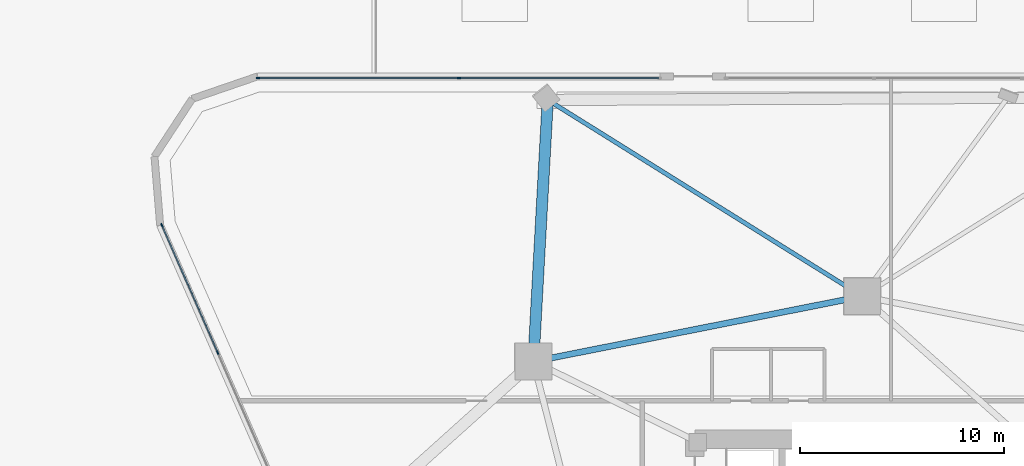
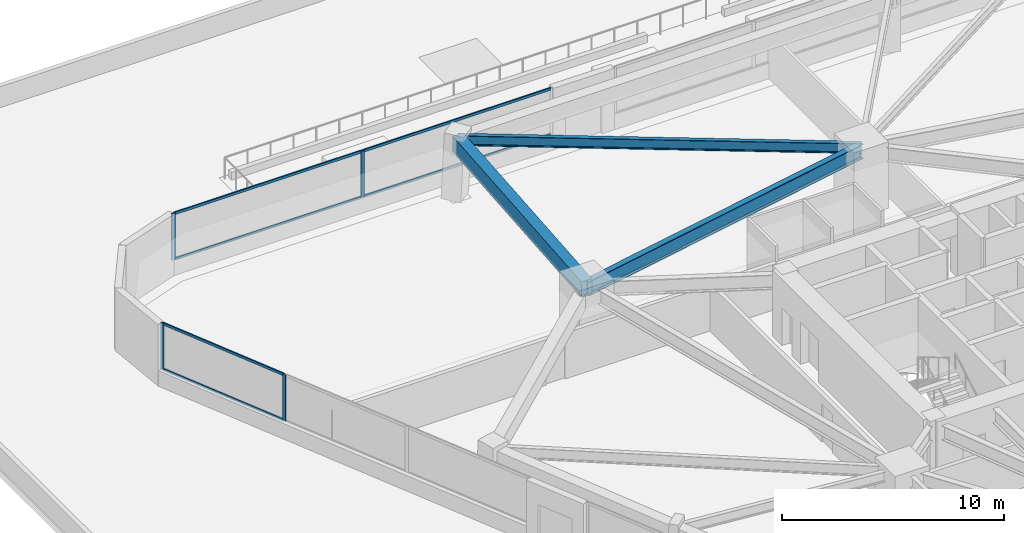
# One storey, part 9 of 21: 10 members, 3 beams, 2 elements without a shape of their own.
"""IFC4 building model written with IfcOpenShell, lengths in metres."""

from ifc_helpers import new_model, si_unit, direction, frame, origin, origin_2d, place, context, subcontext, project, spatial, rectangle, i_section, extrude, material, layer, layer_set, material_profile, profile_set, type_object, element, aggregate, save


model = new_model("IFC4")

# Units and contexts
model_context = context("Model", 3, precision=1e-05, world=origin(), true_north=direction((0.0, 1.0)))
body_context = subcontext(model_context, "Body", "Model", "MODEL_VIEW")
ifc_project = project(units=[si_unit("LENGTHUNIT", "METRE"), si_unit("AREAUNIT", "SQUARE_METRE"), si_unit("VOLUMEUNIT", "CUBIC_METRE"), si_unit("PLANEANGLEUNIT", "RADIAN"), si_unit("MASSUNIT", "GRAM", prefix="KILO")], contexts=[model_context])

# Site, building, storey
site_placement = place(None, origin())
site = spatial("IfcSite", under=ifc_project, at=site_placement, CompositionType="ELEMENT")
building_placement = place(site_placement, origin())
building = spatial("IfcBuilding", under=site, at=building_placement, Name="Talyreon Biosciences Tower", CompositionType="ELEMENT")
storey_placement = place(building_placement, frame((0.0, 0.0, 22.800048828125)))
storey = spatial("IfcBuildingStorey", under=building, at=storey_placement, Name="L05", CompositionType="ELEMENT", Elevation=22.800048828125)

# Curtain wall, members
ifc_material_1 = material(Name="Thermally broken aluminium and low-E glazing", Category="aluminium")
ifc_layer = layer(ifc_material_1, 0.195068359375)
ifc_layer_set = layer_set([ifc_layer], Name="Thermally broken aluminium and low-E glazing")
curtain_wall_type = type_object("IfcCurtainWallType", Name="CurtainWall_Zone1WetLab", PredefinedType="NOTDEFINED", material=ifc_layer_set)
curtain_wall_1_placement = place(storey_placement, origin())
curtain_wall_1 = element("IfcCurtainWall", 1, at=curtain_wall_1_placement, inside=storey, type_object=curtain_wall_type, Name="L05 Unitised Curtain Wall FCW-L05-00B", PredefinedType="NOTDEFINED")
ifc_material_2 = material(Name="Anodised thermally broken aluminium", Category="aluminium")
ifc_material_profile_1 = material_profile(ifc_material_2, rectangle(XDim=0.06494140625, YDim=0.179931640625, at=origin_2d()), Name="ALUM MULLION 65x180")
ifc_profile_set_1 = profile_set([ifc_material_profile_1], Name="Anodised thermally broken aluminium")
member_type_1 = type_object("IfcMemberType", Name="CWMullion_65x180", PredefinedType="MULLION", material=ifc_profile_set_1)
member_1_placement = place(storey_placement, frame((34.446044921875, 79.0302734375, 0.81005859375), z_axis=(0.0, 0.0, 1.0), x_axis=(-0.915926152878, -0.401346835636, 0.0)))
member_1 = element("IfcMember", 2, at=member_1_placement, type_object=member_type_1, Name="CW2 mullion 3", PredefinedType="MULLION", context=body_context, shape_type="SweptSolid", body=[
    extrude(rectangle(XDim=0.06494140625, YDim=0.179931640625, at=origin_2d()), origin(), (0.0, 0.0, 1.0), 2.56494140625),
])
member_2_placement = place(storey_placement, frame((31.7119140625, 85.26953125, 0.81005859375), z_axis=(0.0, 0.0, 1.0), x_axis=(-0.915926152878, -0.401346835636, 0.0)))
member_2 = element("IfcMember", 3, at=member_2_placement, type_object=member_type_1, Name="CW2 mullion 4", PredefinedType="MULLION", context=body_context, shape_type="SweptSolid", body=[
    extrude(rectangle(XDim=0.06494140625, YDim=0.179931640625, at=origin_2d()), origin(), (0.0, 0.0, 1.0), 2.56494140625),
])

curtain_wall_2_placement = place(storey_placement, origin())
curtain_wall_2 = element("IfcCurtainWall", 4, at=curtain_wall_2_placement, inside=storey, type_object=curtain_wall_type, Name="L05 Unitised Curtain Wall FCW-L05-04A", PredefinedType="NOTDEFINED")
member_3_placement = place(storey_placement, frame((36.4208984375, 92.474365234375, 0.81005859375), z_axis=(0.0, 0.0, 1.0), x_axis=(0.0, 1.0, 0.0)))
member_3 = element("IfcMember", 5, at=member_3_placement, type_object=member_type_1, Name="CW2 mullion 1", PredefinedType="MULLION", context=body_context, shape_type="SweptSolid", body=[
    extrude(rectangle(XDim=0.06494140625, YDim=0.179931640625, at=origin_2d()), origin(), (0.0, 0.0, 1.0), 2.56494140625),
])
member_4_placement = place(storey_placement, frame((46.24853515625, 92.474365234375, 0.81005859375), z_axis=(0.0, 0.0, 1.0), x_axis=(0.0, 1.0, 0.0)))
member_4 = element("IfcMember", 6, at=member_4_placement, type_object=member_type_1, Name="CW2 mullion 2", PredefinedType="MULLION", context=body_context, shape_type="SweptSolid", body=[
    extrude(rectangle(XDim=0.06494140625, YDim=0.179931640625, at=origin_2d()), origin(), (0.0, 0.0, 1.0), 2.56494140625),
])

# Member
ifc_material_profile_2 = material_profile(ifc_material_2, rectangle(XDim=0.06494140625, YDim=0.139892578125, at=origin_2d()), Name="ALUM TRANSOM 65x140")
ifc_profile_set_2 = profile_set([ifc_material_profile_2], Name="Anodised thermally broken aluminium")
member_type_2 = type_object("IfcMemberType", Name="CWTransom_65x140", PredefinedType="USERDEFINED", material=ifc_profile_set_2)
member_5_placement = place(storey_placement, frame((34.432861328125, 79.06005859375, 0.842529296875), z_axis=(-0.401335098136, 0.915931296007, 0.0), x_axis=(-0.915931296007, -0.401335098136, 0.0)))
member_5 = element("IfcMember", 7, at=member_5_placement, type_object=member_type_2, Name="CW2 transom 3.1", ObjectType="TRANSOM", PredefinedType="USERDEFINED", context=body_context, shape_type="SweptSolid", body=[
    extrude(rectangle(XDim=0.06494140625, YDim=0.139892578125, at=origin_2d()), origin(), (0.0, 0.0, 1.0), 6.746826171875),
])

member_6_placement = place(storey_placement, frame((34.432861328125, 79.06005859375, 3.342529296875), z_axis=(-0.401335098136, 0.915931296007, 0.0), x_axis=(-0.915931296007, -0.401335098136, 0.0)))
member_6 = element("IfcMember", 8, at=member_6_placement, type_object=member_type_2, Name="CW2 transom 3.2", ObjectType="TRANSOM", PredefinedType="USERDEFINED", context=body_context, shape_type="SweptSolid", body=[
    extrude(rectangle(XDim=0.06494140625, YDim=0.139892578125, at=origin_2d()), origin(), (0.0, 0.0, 1.0), 6.746826171875),
])

aggregate(curtain_wall_1, [member_1, member_2, member_5, member_6])

member_7_placement = place(storey_placement, frame((36.45361328125, 92.474365234375, 0.842529296875), z_axis=(1.0, 0.0, 0.0), x_axis=(0.0, 1.0, 0.0)))
member_7 = element("IfcMember", 9, at=member_7_placement, type_object=member_type_2, Name="CW2 transom 1.1", ObjectType="TRANSOM", PredefinedType="USERDEFINED", context=body_context, shape_type="SweptSolid", body=[
    extrude(rectangle(XDim=0.06494140625, YDim=0.139892578125, at=origin_2d()), origin(), (0.0, 0.0, 1.0), 9.762451171875),
])

member_8_placement = place(storey_placement, frame((36.45361328125, 92.474365234375, 3.342529296875), z_axis=(1.0, 0.0, 0.0), x_axis=(0.0, 1.0, 0.0)))
member_8 = element("IfcMember", 10, at=member_8_placement, type_object=member_type_2, Name="CW2 transom 1.2", ObjectType="TRANSOM", PredefinedType="USERDEFINED", context=body_context, shape_type="SweptSolid", body=[
    extrude(rectangle(XDim=0.06494140625, YDim=0.139892578125, at=origin_2d()), origin(), (0.0, 0.0, 1.0), 9.762451171875),
])

member_9_placement = place(storey_placement, frame((46.281005859375, 92.474365234375, 0.842529296875), z_axis=(1.0, 0.0, 0.0), x_axis=(0.0, 1.0, 0.0)))
member_9 = element("IfcMember", 11, at=member_9_placement, type_object=member_type_2, Name="CW2 transom 2.1", ObjectType="TRANSOM", PredefinedType="USERDEFINED", context=body_context, shape_type="SweptSolid", body=[
    extrude(rectangle(XDim=0.06494140625, YDim=0.139892578125, at=origin_2d()), origin(), (0.0, 0.0, 1.0), 9.762451171875),
])

member_10_placement = place(storey_placement, frame((46.281005859375, 92.474365234375, 3.342529296875), z_axis=(1.0, 0.0, 0.0), x_axis=(0.0, 1.0, 0.0)))
member_10 = element("IfcMember", 12, at=member_10_placement, type_object=member_type_2, Name="CW2 transom 2.2", ObjectType="TRANSOM", PredefinedType="USERDEFINED", context=body_context, shape_type="SweptSolid", body=[
    extrude(rectangle(XDim=0.06494140625, YDim=0.139892578125, at=origin_2d()), origin(), (0.0, 0.0, 1.0), 9.762451171875),
])

aggregate(curtain_wall_2, [member_3, member_4, member_7, member_8, member_9, member_10])

# Beams
ifc_material_3 = material(Name="Precast concrete C45/55", Category="concrete")
ifc_material_profile_3 = material_profile(ifc_material_3, rectangle(XDim=0.550048828125, YDim=0.85009765625, at=origin_2d()), Name="RCB 550x850")
ifc_profile_set_3 = profile_set([ifc_material_profile_3], Name="Precast concrete C45/55")
beam_type_1 = type_object("IfcBeamType", Name="ExpressedSpandrel_550x850", PredefinedType="SPANDREL", material=ifc_profile_set_3)
beam_1_placement = place(storey_placement, frame((50.60205078125, 91.404296875, 2.949951171875), z_axis=(-0.054919657798, -0.998490776716, 0.0), x_axis=(0.998490776716, -0.054919657798, 0.0)))
element("IfcBeam", 13, at=beam_1_placement, inside=storey, type_object=beam_type_1, Name="L05 Expressed Horizontal Concrete Spandrel 08", PredefinedType="SPANDREL", context=body_context, shape_type="SweptSolid", body=[
    extrude(rectangle(XDim=0.550048828125, YDim=0.85009765625, at=origin_2d()), origin(), (0.0, 0.0, 1.0), 12.824951171875),
])
ifc_material_4 = material(Name="Steel SM355", Category="steel")
ifc_material_profile_4 = material_profile(ifc_material_4, i_section(OverallWidth=0.300048828125, OverallDepth=0.800048828125, WebThickness=0.017578125, FlangeThickness=0.032958984375, FilletRadius=0.030029296875, at=origin_2d()), Name="HE800B")
ifc_profile_set_4 = profile_set([ifc_material_profile_4], Name="Steel SM355")
beam_type_2 = type_object("IfcBeamType", Name="SteelGirder_HE800B", PredefinedType="BEAM", material=ifc_profile_set_4)
beam_2_placement = place(storey_placement, frame((66.0, 81.788818359375, 2.974853515625), z_axis=(-0.980933730698, -0.194342522311, 0.0), x_axis=(0.194342522311, -0.980933730698, 0.0)))
element("IfcBeam", 14, at=beam_2_placement, inside=storey, type_object=beam_type_2, Name="L05 Mega-Ring Girder 4", PredefinedType="BEAM", context=body_context, shape_type="SweptSolid", body=[
    extrude(i_section(OverallWidth=0.300048828125, OverallDepth=0.800048828125, WebThickness=0.017578125, FlangeThickness=0.032958984375, FilletRadius=0.030029296875, at=origin_2d()), origin(), (0.0, 0.0, 1.0), 16.415283203125),
])
ifc_material_profile_5 = material_profile(ifc_material_4, i_section(OverallWidth=0.2099609375, OverallDepth=0.550048828125, WebThickness=0.010986328125, FlangeThickness=0.01708984375, FilletRadius=0.02392578125, at=origin_2d()), Name="IPE550")
ifc_profile_set_5 = profile_set([ifc_material_profile_5], Name="Steel SM355")
beam_type_3 = type_object("IfcBeamType", Name="SteelJoist_IPE550", PredefinedType="JOIST", material=ifc_profile_set_5)
beam_3_placement = place(storey_placement, frame((66.0, 81.788818359375, 3.099853515625), z_axis=(-0.848202236577, 0.529672508127, 0.0), x_axis=(-0.529672508127, -0.848202236577, 0.0)))
element("IfcBeam", 15, at=beam_3_placement, inside=storey, type_object=beam_type_3, Name="L05 Radial Composite Floor Joist PC-N2", PredefinedType="JOIST", context=body_context, shape_type="SweptSolid", body=[
    extrude(i_section(OverallWidth=0.2099609375, OverallDepth=0.550048828125, WebThickness=0.010986328125, FlangeThickness=0.01708984375, FilletRadius=0.02392578125, at=origin_2d()), origin(), (0.0, 0.0, 1.0), 18.153564453125),
])

save(model, "model.ifc")
